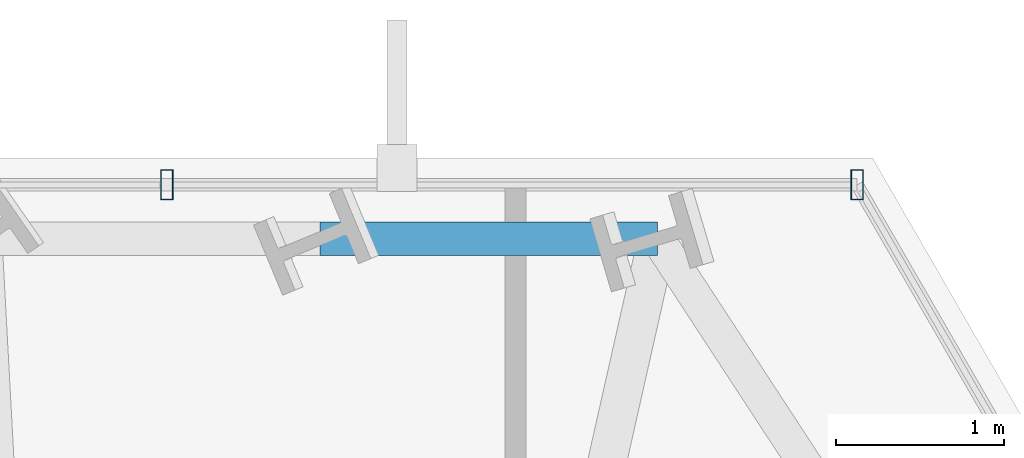
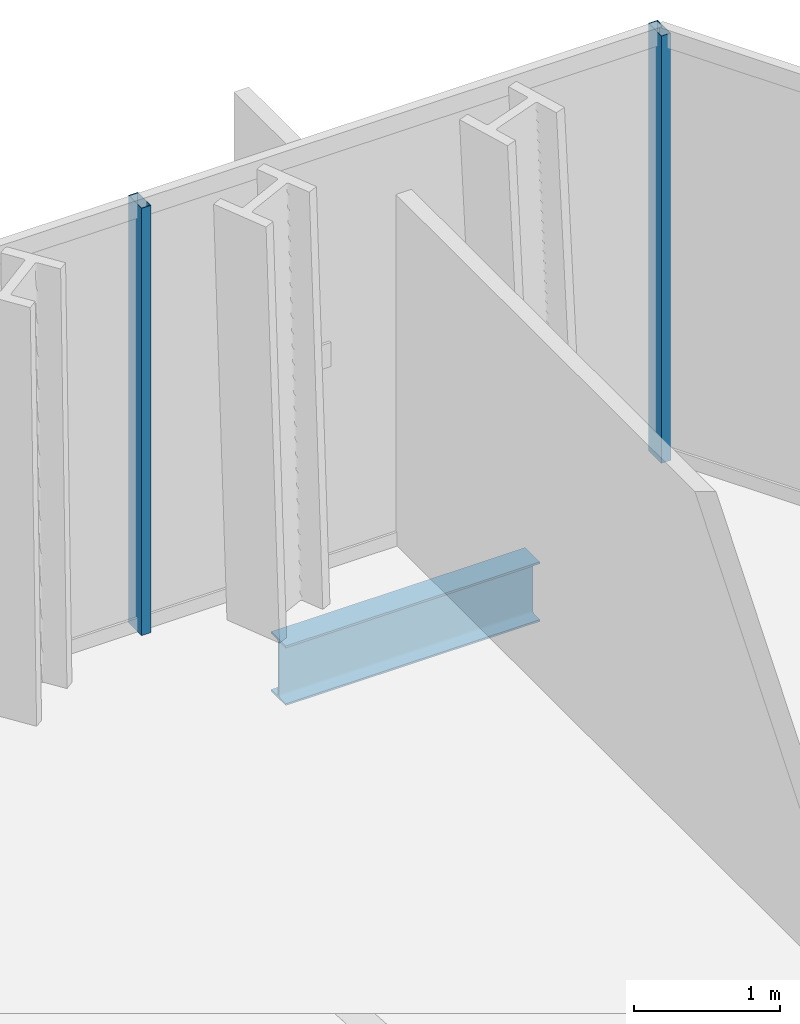
# One storey, part 24 of 33: 2 members, 1 beam, 1 element without a shape of its own.
"""IFC4 building model written with IfcOpenShell, lengths in metres."""

from ifc_helpers import new_model, si_unit, direction, frame, origin, origin_2d, place, context, subcontext, project, spatial, hollow_rectangle, i_section, extrude, material, layer, layer_set, material_profile, profile_set, type_object, element, aggregate, save


model = new_model("IFC4")

# Units and contexts
model_context = context("Model", 3, precision=1e-05, world=origin(), true_north=direction((0.0, 1.0)))
body_context = subcontext(model_context, "Body", "Model", "MODEL_VIEW")
ifc_project = project(units=[si_unit("LENGTHUNIT", "METRE"), si_unit("AREAUNIT", "SQUARE_METRE"), si_unit("VOLUMEUNIT", "CUBIC_METRE"), si_unit("PLANEANGLEUNIT", "RADIAN"), si_unit("MASSUNIT", "GRAM", prefix="KILO")], contexts=[model_context])

# Site, building, storey
site_placement = place(None, origin())
site = spatial("IfcSite", under=ifc_project, at=site_placement, CompositionType="ELEMENT")
building_placement = place(site_placement, origin())
building = spatial("IfcBuilding", under=site, at=building_placement, Name="Ndaravel Arena Tower", CompositionType="ELEMENT")
storey_placement = place(building_placement, frame((0.0, 0.0, 43.60009765625)))
storey = spatial("IfcBuildingStorey", under=building, at=storey_placement, Name="L08", CompositionType="ELEMENT", Elevation=43.60009765625)

# Beam
ifc_material_1 = material(Name="Steel S355", Category="steel")
ifc_material_profile_1 = material_profile(ifc_material_1, i_section(OverallWidth=0.199951171875, OverallDepth=0.5, WebThickness=0.01025390625, FlangeThickness=0.01611328125, FilletRadius=0.02099609375, at=origin_2d()), Name="IPE 500")
ifc_profile_set_1 = profile_set([ifc_material_profile_1], Name="Steel S355")
beam_type = type_object("IfcBeamType", Name="BM-SPAN-IPE500", PredefinedType="SPANDREL", material=ifc_profile_set_1)
beam_placement = place(storey_placement, frame((49.04736328125, 45.590087890625, -0.47021484375), z_axis=(-1.0, 0.0, 0.0), x_axis=(0.0, -1.0, 0.0)))
element("IfcBeam", 1, at=beam_placement, inside=storey, type_object=beam_type, Name="L08 Perimeter Spandrel Beam SP-11", PredefinedType="SPANDREL", context=body_context, shape_type="SweptSolid", body=[
    extrude(i_section(OverallWidth=0.199951171875, OverallDepth=0.5, WebThickness=0.01025390625, FlangeThickness=0.01611328125, FilletRadius=0.02099609375, at=origin_2d()), origin(), (0.0, 0.0, 1.0), 2.013671875),
])

# Curtain wall, members
ifc_material_2 = material(Name="Aluminium", Category="aluminium")
ifc_layer = layer(ifc_material_2, 0.179931640625)
ifc_layer_set = layer_set([ifc_layer], Name="Aluminium")
curtain_wall_type = type_object("IfcCurtainWallType", Name="CW-SYS-01", PredefinedType="NOTDEFINED", material=ifc_layer_set)
curtain_wall_placement = place(storey_placement, origin())
curtain_wall = element("IfcCurtainWall", 2, at=curtain_wall_placement, inside=storey, type_object=curtain_wall_type, Name="L08 Faceted Crystal Curtain Wall CW-L08-E04", PredefinedType="NOTDEFINED")
ifc_material_3 = material(Name="Aluminium", Category="aluminium")
ifc_material_profile_2 = material_profile(ifc_material_3, hollow_rectangle(XDim=0.074951171875, YDim=0.179931640625, WallThickness=0.00390625, at=origin_2d()), Name="CW MULLION 75x180x4")
ifc_profile_set_2 = profile_set([ifc_material_profile_2], Name="Aluminium")
member_type = type_object("IfcMemberType", Name="MEM-CW-MUL180", PredefinedType="MULLION", material=ifc_profile_set_2)
member_1_placement = place(storey_placement, frame((50.23876953125, 45.909912109375, 0.0), z_axis=(0.0, 0.0, 1.0), x_axis=(-1.0, 0.0, 0.0)))
member_1 = element("IfcMember", 3, at=member_1_placement, type_object=member_type, Name="CW-L08-E04 Mullion 00", PredefinedType="MULLION", context=body_context, shape_type="SweptSolid", body=[
    extrude(hollow_rectangle(XDim=0.074951171875, YDim=0.179931640625, WallThickness=0.00390625, at=origin_2d()), origin(), (0.0, 0.0, 1.0), 3.579833984375),
])
member_2_placement = place(storey_placement, frame((46.119384765625, 45.909912109375, 0.0), z_axis=(0.0, 0.0, 1.0), x_axis=(-1.0, 0.0, 0.0)))
member_2 = element("IfcMember", 4, at=member_2_placement, type_object=member_type, Name="CW-L08-E04 Mullion 01", PredefinedType="MULLION", context=body_context, shape_type="SweptSolid", body=[
    extrude(hollow_rectangle(XDim=0.074951171875, YDim=0.179931640625, WallThickness=0.00390625, at=origin_2d()), origin(), (0.0, 0.0, 1.0), 3.579833984375),
])
aggregate(curtain_wall, [member_1, member_2])

save(model, "model.ifc")
